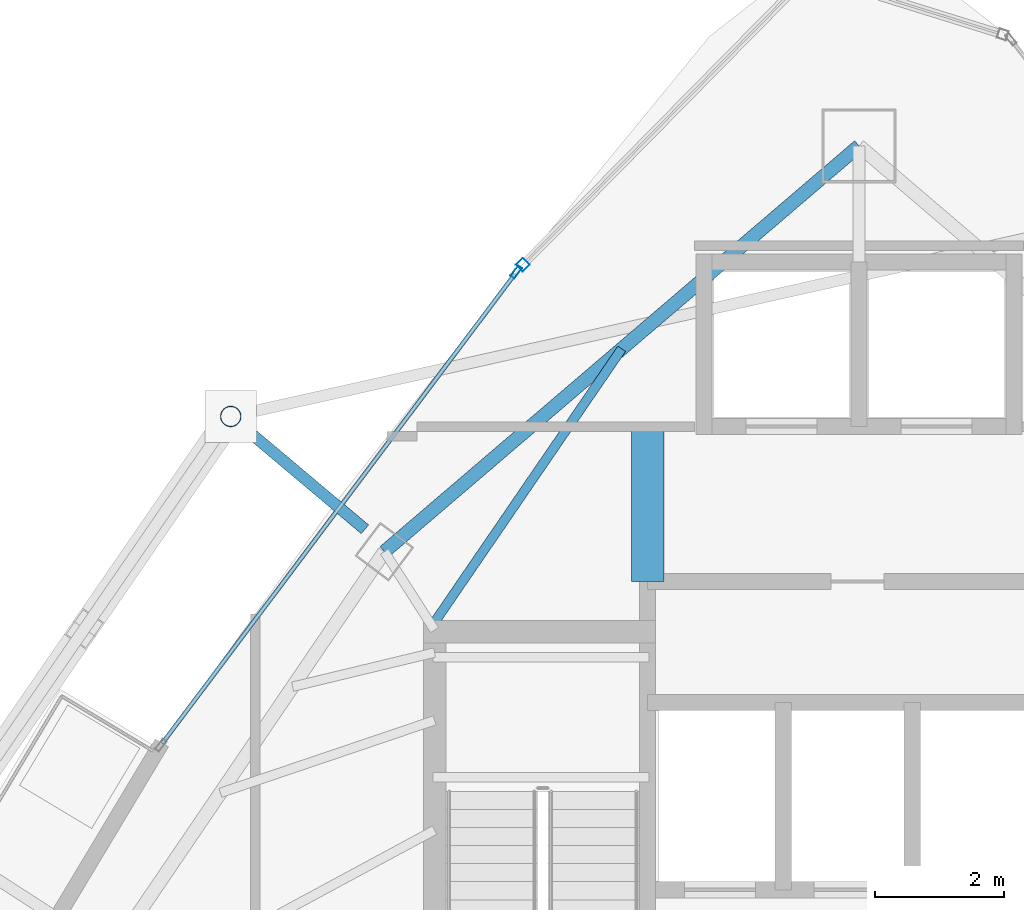
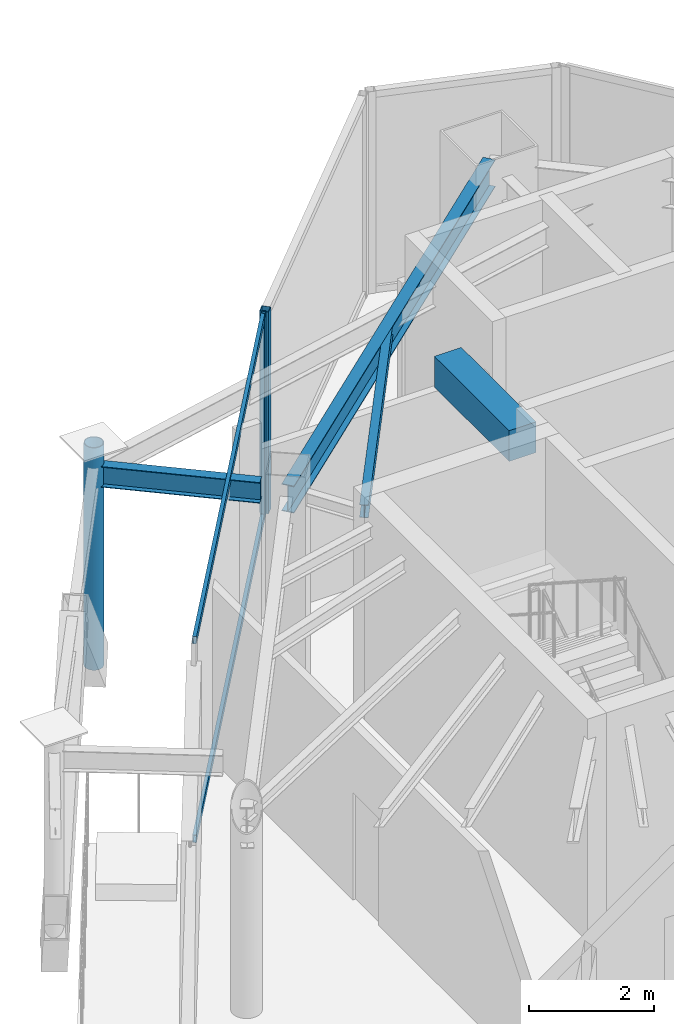
# One storey, part 15 of 22: 5 members, 4 beams, 2 elements without a shape of their own.
"""IFC4 building model written with IfcOpenShell, lengths in metres."""

from ifc_helpers import new_model, si_unit, direction, frame, origin, origin_2d, place, context, subcontext, project, spatial, rectangle, hollow_rectangle, hollow_circle, i_section, extrude, material, layer, layer_set, material_profile, profile_set, type_object, element, aggregate, save


model = new_model("IFC4")

# Units and contexts
model_context = context("Model", 3, precision=1e-05, world=origin(), true_north=direction((0.0, 1.0)))
body_context = subcontext(model_context, "Body", "Model", "MODEL_VIEW")
ifc_project = project(units=[si_unit("LENGTHUNIT", "METRE"), si_unit("AREAUNIT", "SQUARE_METRE"), si_unit("VOLUMEUNIT", "CUBIC_METRE"), si_unit("PLANEANGLEUNIT", "RADIAN"), si_unit("MASSUNIT", "GRAM", prefix="KILO")], contexts=[model_context])

# Site, building, storey
site_placement = place(None, origin())
site = spatial("IfcSite", under=ifc_project, at=site_placement, CompositionType="ELEMENT")
building_placement = place(site_placement, origin())
building = spatial("IfcBuilding", under=site, at=building_placement, Name="Orvanel Arch Residences", CompositionType="ELEMENT")
storey_placement = place(building_placement, frame((0.0, 0.0, 276.64990234375)))
storey = spatial("IfcBuildingStorey", under=building, at=storey_placement, Name="L79", CompositionType="ELEMENT", Elevation=276.64990234375)

# Beams
ifc_material_1 = material(Name="Structural steel AS/NZS 3679.1 Grade 300 (300 MPa)", Category="steel")
ifc_material_profile_1 = material_profile(ifc_material_1, i_section(OverallWidth=0.14599609375, OverallDepth=0.251953125, WebThickness=0.006103515625, FlangeThickness=0.008544921875, at=origin_2d()), Name="250UB31.4")
ifc_profile_set_1 = profile_set([ifc_material_profile_1], Name="Structural steel AS/NZS 3679.1 Grade 300 (300 MPa)")
beam_type_1 = type_object("IfcBeamType", Name="BJ-250UB", PredefinedType="JOIST", material=ifc_profile_set_1)
beam_1_placement = place(storey_placement, frame((26.425048828125, 34.02001953125, 3.82421875), z_axis=(0.564868085352, 0.825181220188, 0.0), x_axis=(-0.825181220188, 0.564868085352, 0.0)))
element("IfcBeam", 1, at=beam_1_placement, inside=storey, type_object=beam_type_1, Name="L79 NNW2 Wing Floor Joist", PredefinedType="JOIST", context=body_context, shape_type="SweptSolid", body=[
    extrude(i_section(OverallWidth=0.14599609375, OverallDepth=0.251953125, WebThickness=0.006103515625, FlangeThickness=0.008544921875, at=origin_2d()), origin(), (0.0, 0.0, 1.0), 5.132080078125),
])
ifc_material_2 = material(Name="Concrete S65 (65 MPa)", Category="concrete")
ifc_material_profile_2 = material_profile(ifc_material_2, rectangle(XDim=0.5, YDim=0.60009765625, at=origin_2d()), Name="RC500x600")
ifc_profile_set_2 = profile_set([ifc_material_profile_2], Name="Concrete S65 (65 MPa)")
beam_type_2 = type_object("IfcBeamType", Name="CB-500x600", PredefinedType="LINTEL", material=ifc_profile_set_2)
beam_2_placement = place(storey_placement, frame((29.72509765625, 34.64990234375, 3.650146484375), z_axis=(0.0, 1.0, 0.0), x_axis=(-1.0, 0.0, 0.0)))
element("IfcBeam", 2, at=beam_2_placement, inside=storey, type_object=beam_type_2, Name="L79 West Core Lobby Coupling Lintel Beam", PredefinedType="LINTEL", context=body_context, shape_type="SweptSolid", body=[
    extrude(rectangle(XDim=0.5, YDim=0.60009765625, at=origin_2d()), origin(), (0.0, 0.0, 1.0), 2.400146484375),
])

# Curtain wall, member
ifc_material_3 = material(Name="Bronze-anodised aluminium AA6063-T6", Category="aluminium")
ifc_layer_1 = layer(ifc_material_3, 0.18994140625)
ifc_layer_set_1 = layer_set([ifc_layer_1], Name="Bronze-anodised aluminium AA6063-T6")
curtain_wall_type_1 = type_object("IfcCurtainWallType", Name="CW5-CRN-SYS", PredefinedType="NOTDEFINED", material=ifc_layer_set_1)
curtain_wall_1_placement = place(storey_placement, origin())
curtain_wall_1 = element("IfcCurtainWall", 3, at=curtain_wall_1_placement, inside=storey, type_object=curtain_wall_type_1, Name="L79 CW5-CRN-SYS Unitised Curtain Wall", PredefinedType="NOTDEFINED")
ifc_material_profile_3 = material_profile(ifc_material_3, hollow_rectangle(XDim=0.14990234375, YDim=0.14990234375, WallThickness=0.0048828125, at=origin_2d()), Name="ALU150x150x5")
ifc_profile_set_3 = profile_set([ifc_material_profile_3], Name="Bronze-anodised aluminium AA6063-T6")
member_type_1 = type_object("IfcMemberType", Name="MUL-150x150", PredefinedType="MULLION", material=ifc_profile_set_3)
member_1_placement = place(storey_placement, frame((27.791748046875, 39.555419921875, 0.0), z_axis=(0.0, 0.0, 1.0), x_axis=(0.712186654188, -0.701990149216, 0.0)))
member_1 = element("IfcMember", 4, at=member_1_placement, type_object=member_type_1, Name="CW-S5 mullion 2", PredefinedType="MULLION", context=body_context, shape_type="SweptSolid", body=[
    extrude(hollow_rectangle(XDim=0.14990234375, YDim=0.14990234375, WallThickness=0.0048828125, at=origin_2d()), origin(), (0.0, 0.0, 1.0), 3.9501953125),
])
aggregate(curtain_wall_1, [member_1])

ifc_layer_2 = layer(ifc_material_3, 0.195068359375)
ifc_layer_set_2 = layer_set([ifc_layer_2], Name="Bronze-anodised aluminium AA6063-T6")
curtain_wall_type_2 = type_object("IfcCurtainWallType", Name="CW6-COM-SYS", PredefinedType="NOTDEFINED", material=ifc_layer_set_2)
curtain_wall_2_placement = place(storey_placement, origin())
curtain_wall_2 = element("IfcCurtainWall", 5, at=curtain_wall_2_placement, inside=storey, type_object=curtain_wall_type_2, Name="L79 CW6-COM-SYS Unitised Curtain Wall", PredefinedType="NOTDEFINED")
ifc_material_profile_4 = material_profile(ifc_material_3, hollow_rectangle(XDim=0.074951171875, YDim=0.199951171875, WallThickness=0.0048828125, at=origin_2d()), Name="ALU200x75x5")
ifc_profile_set_4 = profile_set([ifc_material_profile_4], Name="Bronze-anodised aluminium AA6063-T6")
member_type_2 = type_object("IfcMemberType", Name="MUL-200x75", PredefinedType="MULLION", material=ifc_profile_set_4)
member_2_placement = place(storey_placement, frame((27.6904296875, 39.442138671875, 0.0), z_axis=(0.0, 0.0, 1.0), x_axis=(0.799480276109, -0.600692340648, 0.0)))
member_2 = element("IfcMember", 6, at=member_2_placement, type_object=member_type_2, Name="CW-S6 mullion 1", PredefinedType="MULLION", context=body_context, shape_type="SweptSolid", body=[
    extrude(hollow_rectangle(XDim=0.074951171875, YDim=0.199951171875, WallThickness=0.0048828125, at=origin_2d()), origin(), (0.0, 0.0, 1.0), 3.9501953125),
])

# Beams
ifc_material_profile_5 = material_profile(ifc_material_1, i_section(OverallWidth=0.177978515625, OverallDepth=0.406005859375, WebThickness=0.0078125, FlangeThickness=0.0126953125, at=origin_2d()), Name="410UB59.7")
ifc_profile_set_5 = profile_set([ifc_material_profile_5], Name="Structural steel AS/NZS 3679.1 Grade 300 (300 MPa)")
beam_type_3 = type_object("IfcBeamType", Name="OB-410UB-EXT", PredefinedType="SPANDREL", material=ifc_profile_set_5)
beam_3_placement = place(storey_placement, frame((25.346923828125, 35.458984375, 3.7470703125), z_axis=(-0.765377179974, 0.643581985745, 0.0), x_axis=(-0.643581985745, -0.765377179974, 0.0)))
element("IfcBeam", 7, at=beam_3_placement, inside=storey, type_object=beam_type_3, Name="L79 Outer Frame Radial Tie Beam 01", PredefinedType="SPANDREL", context=body_context, shape_type="SweptSolid", body=[
    extrude(i_section(OverallWidth=0.177978515625, OverallDepth=0.406005859375, WebThickness=0.0078125, FlangeThickness=0.0126953125, at=origin_2d()), origin(), (0.0, 0.0, 1.0), 2.716064453125),
])
ifc_material_profile_6 = material_profile(ifc_material_1, i_section(OverallWidth=0.208984375, OverallDepth=0.532958984375, WebThickness=0.01025390625, FlangeThickness=0.015625, at=origin_2d()), Name="530UB92.4")
ifc_profile_set_6 = profile_set([ifc_material_profile_6], Name="Structural steel AS/NZS 3679.1 Grade 300 (300 MPa)")
beam_type_4 = type_object("IfcBeamType", Name="SP-530UB", PredefinedType="SPANDREL", material=ifc_profile_set_6)
beam_4_placement = place(storey_placement, frame((33.0, 41.39794921875, 3.68408203125), z_axis=(-0.760116518398, -0.649786794617, 0.0), x_axis=(0.649786794617, -0.760116518398, 0.0)))
element("IfcBeam", 8, at=beam_4_placement, inside=storey, type_object=beam_type_4, Name="L79 Perimeter Spandrel Beam 10", PredefinedType="SPANDREL", context=body_context, shape_type="SweptSolid", body=[
    extrude(i_section(OverallWidth=0.208984375, OverallDepth=0.532958984375, WebThickness=0.01025390625, FlangeThickness=0.015625, at=origin_2d()), origin(), (0.0, 0.0, 1.0), 9.67236328125),
])

# Member
ifc_material_4 = material(Name="Structural steel AS/NZS 1163 C350L0 (Grade 350)", Category="steel")
ifc_material_profile_7 = material_profile(ifc_material_4, hollow_circle(Radius=0.162109375, WallThickness=0.0126953125, at=origin_2d()), Name="CHS324x12.7")
ifc_profile_set_7 = profile_set([ifc_material_profile_7], Name="Structural steel AS/NZS 1163 C350L0 (Grade 350)")
member_type_3 = type_object("IfcMemberType", Name="ST-324CHS-EXT", PredefinedType="STRUT", material=ifc_profile_set_7)
member_3_placement = place(storey_placement, frame((23.26806640625, 37.20703125, 0.0), z_axis=(0.0, 0.0, 1.0), x_axis=(1.0, 0.0, 0.0)))
element("IfcMember", 9, at=member_3_placement, inside=storey, type_object=member_type_3, Name="L79 Outer Perimeter Frame Post 01", PredefinedType="STRUT", context=body_context, shape_type="SweptSolid", body=[
    extrude(hollow_circle(Radius=0.162109375, WallThickness=0.0126953125, at=origin_2d()), origin(), (0.0, 0.0, 1.0), 4.35009765625),
])

ifc_material_profile_8 = material_profile(ifc_material_3, hollow_rectangle(XDim=0.06494140625, YDim=0.14990234375, WallThickness=0.00390625, at=origin_2d()), Name="ALU150x65x4")
ifc_profile_set_8 = profile_set([ifc_material_profile_8], Name="Bronze-anodised aluminium AA6063-T6")
member_type_4 = type_object("IfcMemberType", Name="TRN-150x65", PredefinedType="USERDEFINED", material=ifc_profile_set_8)
member_4_placement = place(storey_placement, frame((27.66796875, 39.412109375, 0.03271484375), z_axis=(-0.600695858204, -0.799477633169, 0.0), x_axis=(0.799477633169, -0.600695858204, 0.0)))
member_4 = element("IfcMember", 10, at=member_4_placement, type_object=member_type_4, Name="CW-S6 transom 1.1", ObjectType="TRANSOM", PredefinedType="USERDEFINED", context=body_context, shape_type="SweptSolid", body=[
    extrude(hollow_rectangle(XDim=0.06494140625, YDim=0.14990234375, WallThickness=0.00390625, at=origin_2d()), origin(), (0.0, 0.0, 1.0), 9.091064453125),
])

member_5_placement = place(storey_placement, frame((27.66796875, 39.412109375, 3.91748046875), z_axis=(-0.600695858204, -0.799477633169, 0.0), x_axis=(0.799477633169, -0.600695858204, 0.0)))
member_5 = element("IfcMember", 11, at=member_5_placement, type_object=member_type_4, Name="CW-S6 transom 1.2", ObjectType="TRANSOM", PredefinedType="USERDEFINED", context=body_context, shape_type="SweptSolid", body=[
    extrude(hollow_rectangle(XDim=0.06494140625, YDim=0.14990234375, WallThickness=0.00390625, at=origin_2d()), origin(), (0.0, 0.0, 1.0), 9.091064453125),
])

aggregate(curtain_wall_2, [member_2, member_4, member_5])

save(model, "model.ifc")
